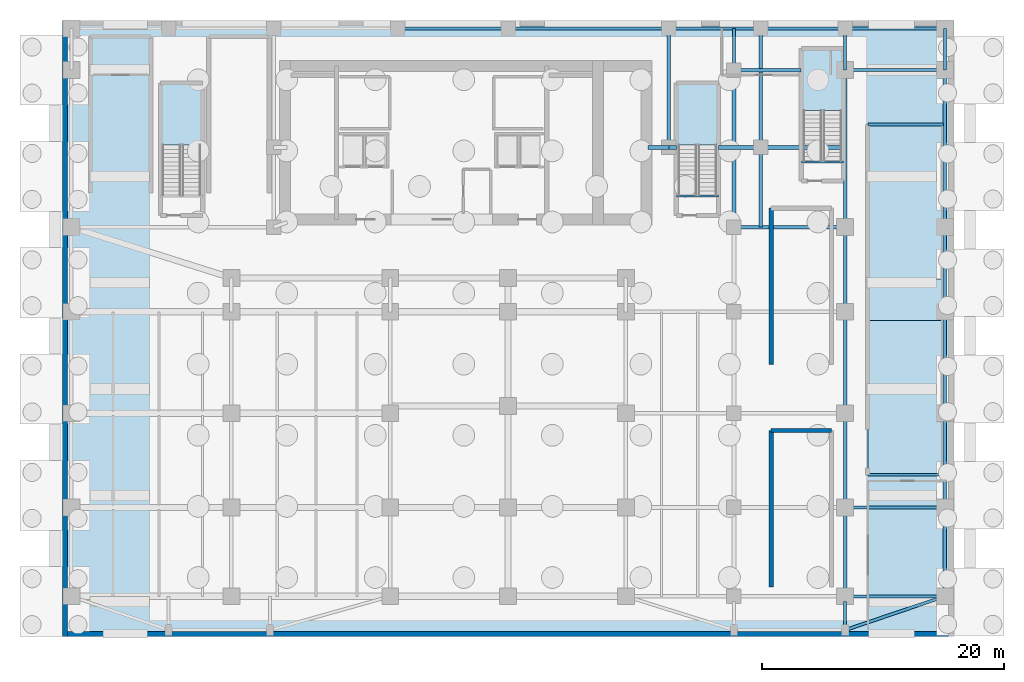
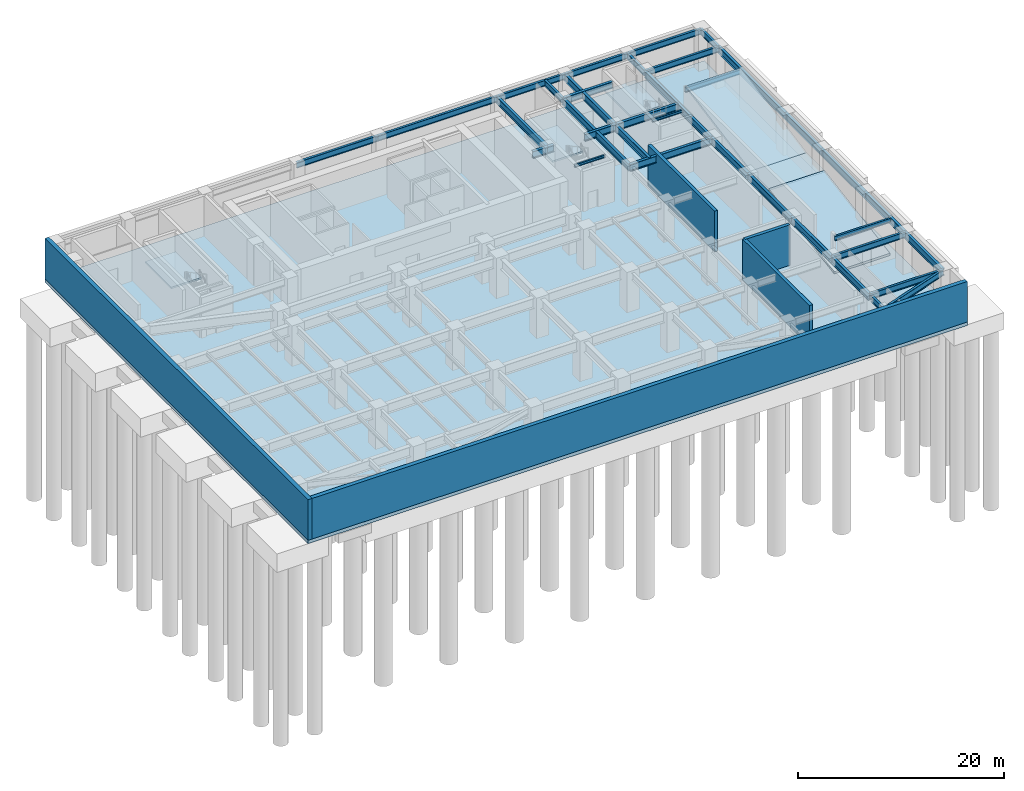
# One storey, part 4 of 9: 37 beams, 7 slabs, 5 walls, 3 elements without a shape of their own.
"""IFC4 building model written with IfcOpenShell, lengths in metres."""

from ifc_helpers import new_model, si_unit, direction, frame, frame_2d, origin, origin_2d, place, context, subcontext, project, spatial, polyline, rectangle, i_section, outline, extrude, faceted_brep, source, transform, mapped, material, layer, layer_set, material_profile, profile_set, type_object, type_shapes, element, aggregate, save


model = new_model("IFC4")

# Units and contexts
model_context = context("Model", 3, precision=1e-05, world=origin(), true_north=direction((0.0, 1.0)))
body_context = subcontext(model_context, "Body", "Model", "MODEL_VIEW")
ifc_project = project(units=[si_unit("LENGTHUNIT", "METRE"), si_unit("AREAUNIT", "SQUARE_METRE"), si_unit("VOLUMEUNIT", "CUBIC_METRE"), si_unit("PLANEANGLEUNIT", "RADIAN"), si_unit("MASSUNIT", "GRAM", prefix="KILO")], contexts=[model_context])

# Site, building, storey
site_placement = place(None, origin())
site = spatial("IfcSite", under=ifc_project, at=site_placement, CompositionType="ELEMENT")
building_placement = place(site_placement, origin())
building = spatial("IfcBuilding", under=site, at=building_placement, Name="Tolvann Quenvar Hotel", CompositionType="ELEMENT")
storey_placement = place(building_placement, frame((0.0, 0.0, -14.39990234375)))
storey = spatial("IfcBuildingStorey", under=building, at=storey_placement, Name="B03", CompositionType="ELEMENT", Elevation=-14.39990234375)

# Beams
ifc_material_1 = material(Name="Steel Grade 350", Category="steel")
ifc_material_profile_1 = material_profile(ifc_material_1, i_section(OverallWidth=0.300048828125, OverallDepth=0.81591796875, WebThickness=0.010009765625, FlangeThickness=0.028076171875, at=origin_2d()), Name="800WB192")
ifc_profile_set_1 = profile_set([ifc_material_profile_1], Name="Steel Grade 350")
beam_type_1 = type_object("IfcBeamType", Name="BM_GIRD_800WB192", PredefinedType="BEAM", material=ifc_profile_set_1)
shared_shape_1 = source(origin(), body_context, "Body", "SweptSolid", [
    extrude(i_section(OverallWidth=0.300048828125, OverallDepth=0.81591796875, WebThickness=0.010009765625, FlangeThickness=0.028076171875, at=origin_2d()), origin(), (0.0, 0.0, 1.0), 7.349853515625),
])
for number, where, z_axis, x_axis, name in (
    (1, (56.39990234375, 0.85009765625, 4.1318359375), (0.0, 1.0, 0.0), (-1.0, 0.0, 0.0), "BM-B03-NS-J-0"),
    (2, (64.64990234375, 0.85009765625, 4.1318359375), (0.0, 1.0, 0.0), (-1.0, 0.0, 0.0), "BM-B03-NS-K-0"),
):
    element("IfcBeam", number, at=place(storey_placement, frame(where, z_axis=z_axis, x_axis=x_axis)), inside=storey, type_object=beam_type_1, Name=name, PredefinedType="BEAM", context=body_context, shape_type="MappedRepresentation", body=[
        mapped(shared_shape_1, transform((0.0, 0.0, 0.0), x_axis=(1.0, 0.0, 0.0), y_axis=(0.0, 1.0, 0.0), z_axis=(0.0, 0.0, 1.0), scale=1.0)),
    ])
shared_shape_2 = source(origin(), body_context, "Body", "SweptSolid", [
    extrude(i_section(OverallWidth=0.300048828125, OverallDepth=0.81591796875, WebThickness=0.010009765625, FlangeThickness=0.028076171875, at=origin_2d()), origin(), (0.0, 0.0, 1.0), 7.800048828125),
])
for number, where, z_axis, x_axis, name in (
    (3, (56.39990234375, 8.199951171875, 4.1318359375), (0.0, 1.0, 0.0), (-1.0, 0.0, 0.0), "BM-B03-NS-J-1"),
    (4, (64.64990234375, 8.199951171875, 4.1318359375), (0.0, 1.0, 0.0), (-1.0, 0.0, 0.0), "BM-B03-NS-K-1"),
):
    element("IfcBeam", number, at=place(storey_placement, frame(where, z_axis=z_axis, x_axis=x_axis)), inside=storey, type_object=beam_type_1, Name=name, PredefinedType="BEAM", context=body_context, shape_type="MappedRepresentation", body=[
        mapped(shared_shape_2, transform((0.0, 0.0, 0.0), x_axis=(1.0, 0.0, 0.0), y_axis=(0.0, 1.0, 0.0), z_axis=(0.0, 0.0, 1.0), scale=1.0)),
    ])
shared_shape_3 = source(origin(), body_context, "Body", "SweptSolid", [
    extrude(i_section(OverallWidth=0.300048828125, OverallDepth=0.81591796875, WebThickness=0.010009765625, FlangeThickness=0.028076171875, at=origin_2d()), origin(), (0.0, 0.0, 1.0), 8.39990234375),
])
for number, where, z_axis, x_axis, name in (
    (5, (56.39990234375, 16.0, 4.1318359375), (0.0, 1.0, 0.0), (-1.0, 0.0, 0.0), "BM-B03-NS-J-2"),
    (6, (64.64990234375, 16.0, 4.1318359375), (0.0, 1.0, 0.0), (-1.0, 0.0, 0.0), "BM-B03-NS-K-2"),
):
    element("IfcBeam", number, at=place(storey_placement, frame(where, z_axis=z_axis, x_axis=x_axis)), inside=storey, type_object=beam_type_1, Name=name, PredefinedType="BEAM", context=body_context, shape_type="MappedRepresentation", body=[
        mapped(shared_shape_3, transform((0.0, 0.0, 0.0), x_axis=(1.0, 0.0, 0.0), y_axis=(0.0, 1.0, 0.0), z_axis=(0.0, 0.0, 1.0), scale=1.0)),
    ])
shared_shape_4 = source(origin(), body_context, "Body", "SweptSolid", [
    extrude(i_section(OverallWidth=0.300048828125, OverallDepth=0.81591796875, WebThickness=0.010009765625, FlangeThickness=0.028076171875, at=origin_2d()), origin(), (0.0, 0.0, 1.0), 9.199951171875),
])
beam_1_placement = place(storey_placement, frame((47.199951171875, 31.39990234375, 4.1318359375), z_axis=(1.0, 0.0, 0.0), x_axis=(0.0, 1.0, 0.0)))
element("IfcBeam", 7, at=beam_1_placement, inside=storey, type_object=beam_type_1, Name="BM-B03-GE2-5", PredefinedType="BEAM", context=body_context, shape_type="MappedRepresentation", body=[
    mapped(shared_shape_4, transform((0.0, 0.0, 0.0), x_axis=(1.0, 0.0, 0.0), y_axis=(0.0, 1.0, 0.0), z_axis=(0.0, 0.0, 1.0), scale=1.0)),
])
ifc_material_profile_2 = material_profile(ifc_material_1, i_section(OverallWidth=0.25, OverallDepth=0.699951171875, WebThickness=0.010009765625, FlangeThickness=0.02392578125, at=origin_2d()), Name="700WB150")
ifc_profile_set_2 = profile_set([ifc_material_profile_2], Name="Steel Grade 350")
beam_type_2 = type_object("IfcBeamType", Name="BM_GIRD_700WB150", PredefinedType="BEAM", material=ifc_profile_set_2)
shared_shape_5 = source(origin(), body_context, "Body", "SweptSolid", [
    extrude(i_section(OverallWidth=0.25, OverallDepth=0.699951171875, WebThickness=0.010009765625, FlangeThickness=0.02392578125, at=origin_2d()), origin(), (0.0, 0.0, 1.0), 8.25),
])
for number, where, z_axis, x_axis, name in (
    (8, (56.39990234375, 0.85009765625, 4.18994140625), (1.0, 0.0, 0.0), (0.0, 1.0, 0.0), "BM-B03-GE3-1"),
    (9, (56.39990234375, 8.199951171875, 4.18994140625), (1.0, 0.0, 0.0), (0.0, 1.0, 0.0), "BM-B03-GE3-2"),
    (10, (56.39990234375, 44.39990234375, 4.18994140625), (1.0, 0.0, 0.0), (0.0, 1.0, 0.0), "BM-B03-GE3-6"),
    (11, (56.39990234375, 47.85009765625, 4.18994140625), (1.0, 0.0, 0.0), (0.0, 1.0, 0.0), "BM-B03-EWN-7"),
):
    element("IfcBeam", number, at=place(storey_placement, frame(where, z_axis=z_axis, x_axis=x_axis)), inside=storey, type_object=beam_type_2, Name=name, PredefinedType="BEAM", context=body_context, shape_type="MappedRepresentation", body=[
        mapped(shared_shape_5, transform((0.0, 0.0, 0.0), x_axis=(1.0, 0.0, 0.0), y_axis=(0.0, 1.0, 0.0), z_axis=(0.0, 0.0, 1.0), scale=1.0)),
    ])
shared_shape_6 = source(origin(), body_context, "Body", "SweptSolid", [
    extrude(i_section(OverallWidth=0.300048828125, OverallDepth=0.81591796875, WebThickness=0.010009765625, FlangeThickness=0.028076171875, at=origin_2d()), origin(), (0.0, 0.0, 1.0), 5.550048828125),
])
beam_2_placement = place(storey_placement, frame((47.199951171875, 44.39990234375, 4.1318359375), z_axis=(1.0, 0.0, 0.0), x_axis=(0.0, 1.0, 0.0)))
element("IfcBeam", 12, at=beam_2_placement, inside=storey, type_object=beam_type_1, Name="BM-B03-GE2-6", PredefinedType="BEAM", context=body_context, shape_type="MappedRepresentation", body=[
    mapped(shared_shape_6, transform((0.0, 0.0, 0.0), x_axis=(1.0, 0.0, 0.0), y_axis=(0.0, 1.0, 0.0), z_axis=(0.0, 0.0, 1.0), scale=1.0)),
])
shared_shape_7 = source(origin(), body_context, "Body", "SweptSolid", [
    extrude(i_section(OverallWidth=0.300048828125, OverallDepth=0.81591796875, WebThickness=0.010009765625, FlangeThickness=0.028076171875, at=origin_2d()), origin(), (0.0, 0.0, 1.0), 7.0),
])
for number, where, z_axis, x_axis, name in (
    (13, (56.39990234375, 24.39990234375, 4.1318359375), (0.0, 1.0, 0.0), (-1.0, 0.0, 0.0), "BM-B03-NS-J-3"),
    (14, (64.64990234375, 24.39990234375, 4.1318359375), (0.0, 1.0, 0.0), (-1.0, 0.0, 0.0), "BM-B03-NS-K-3"),
    (15, (49.39990234375, 38.0, 4.1318359375), (1.0, 0.0, 0.0), (0.0, 1.0, 0.0), "BM-B03-EW-PIN3"),
):
    element("IfcBeam", number, at=place(storey_placement, frame(where, z_axis=z_axis, x_axis=x_axis)), inside=storey, type_object=beam_type_1, Name=name, PredefinedType="BEAM", context=body_context, shape_type="MappedRepresentation", body=[
        mapped(shared_shape_7, transform((0.0, 0.0, 0.0), x_axis=(1.0, 0.0, 0.0), y_axis=(0.0, 1.0, 0.0), z_axis=(0.0, 0.0, 1.0), scale=1.0)),
    ])
shared_shape_8 = source(origin(), body_context, "Body", "SweptSolid", [
    extrude(i_section(OverallWidth=0.300048828125, OverallDepth=0.81591796875, WebThickness=0.010009765625, FlangeThickness=0.028076171875, at=origin_2d()), origin(), (0.0, 0.0, 1.0), 13.0),
])
for number, where, z_axis, x_axis, name in (
    (16, (47.199951171875, 31.39990234375, 4.1318359375), (0.0, 1.0, 0.0), (-1.0, 0.0, 0.0), "BM-B03-NS-H-4"),
    (17, (56.39990234375, 31.39990234375, 4.1318359375), (0.0, 1.0, 0.0), (-1.0, 0.0, 0.0), "BM-B03-NS-J-4"),
    (18, (64.64990234375, 31.39990234375, 4.1318359375), (0.0, 1.0, 0.0), (-1.0, 0.0, 0.0), "BM-B03-NS-K-4"),
):
    element("IfcBeam", number, at=place(storey_placement, frame(where, z_axis=z_axis, x_axis=x_axis)), inside=storey, type_object=beam_type_1, Name=name, PredefinedType="BEAM", context=body_context, shape_type="MappedRepresentation", body=[
        mapped(shared_shape_8, transform((0.0, 0.0, 0.0), x_axis=(1.0, 0.0, 0.0), y_axis=(0.0, 1.0, 0.0), z_axis=(0.0, 0.0, 1.0), scale=1.0)),
    ])
shared_shape_9 = source(origin(), body_context, "Body", "SweptSolid", [
    extrude(i_section(OverallWidth=0.25, OverallDepth=0.699951171875, WebThickness=0.010009765625, FlangeThickness=0.02392578125, at=origin_2d()), origin(), (0.0, 0.0, 1.0), 3.4501953125),
])
for number, where, z_axis, x_axis, name in (
    (19, (47.199951171875, 44.39990234375, 4.18994140625), (0.0, 1.0, 0.0), (-1.0, 0.0, 0.0), "BM-B03-NSN-H"),
    (20, (56.39990234375, 44.39990234375, 4.18994140625), (0.0, 1.0, 0.0), (-1.0, 0.0, 0.0), "BM-B03-NSN-J"),
    (21, (64.64990234375, 44.39990234375, 4.18994140625), (0.0, 1.0, 0.0), (-1.0, 0.0, 0.0), "BM-B03-NSN-K"),
):
    element("IfcBeam", number, at=place(storey_placement, frame(where, z_axis=z_axis, x_axis=x_axis)), inside=storey, type_object=beam_type_2, Name=name, PredefinedType="BEAM", context=body_context, shape_type="MappedRepresentation", body=[
        mapped(shared_shape_9, transform((0.0, 0.0, 0.0), x_axis=(1.0, 0.0, 0.0), y_axis=(0.0, 1.0, 0.0), z_axis=(0.0, 0.0, 1.0), scale=1.0)),
    ])
shared_shape_10 = source(origin(), body_context, "Body", "SweptSolid", [
    extrude(i_section(OverallWidth=0.25, OverallDepth=0.699951171875, WebThickness=0.010009765625, FlangeThickness=0.02392578125, at=origin_2d()), origin(), (0.0, 0.0, 1.0), 2.349853515625),
])
beam_3_placement = place(storey_placement, frame((56.39990234375, -1.949951171875, 4.18994140625), z_axis=(0.0, 1.0, 0.0), x_axis=(-1.0, 0.0, 0.0)))
element("IfcBeam", 22, at=beam_3_placement, inside=storey, type_object=beam_type_2, Name="BM-B03-NSS-J", PredefinedType="BEAM", context=body_context, shape_type="MappedRepresentation", body=[
    mapped(shared_shape_10, transform((0.0, 0.0, 0.0), x_axis=(1.0, 0.0, 0.0), y_axis=(0.0, 1.0, 0.0), z_axis=(0.0, 0.0, 1.0), scale=1.0)),
])
shared_shape_11 = source(origin(), body_context, "Body", "SweptSolid", [
    extrude(i_section(OverallWidth=0.25, OverallDepth=0.699951171875, WebThickness=0.010009765625, FlangeThickness=0.02392578125, at=origin_2d()), origin(), (0.0, 0.0, 1.0), 8.712158203125),
])
beam_4_placement = place(storey_placement, frame((56.39990234375, -1.949951171875, 4.18994140625), z_axis=(0.946945808453, 0.32139327288, 0.0), x_axis=(-0.32139327288, 0.946945808453, 0.0)))
element("IfcBeam", 23, at=beam_4_placement, inside=storey, type_object=beam_type_2, Name="BM-B03-EWS-E2", PredefinedType="BEAM", context=body_context, shape_type="MappedRepresentation", body=[
    mapped(shared_shape_11, transform((0.0, 0.0, 0.0), x_axis=(1.0, 0.0, 0.0), y_axis=(0.0, 1.0, 0.0), z_axis=(0.0, 0.0, 1.0), scale=1.0)),
])
shared_shape_12 = source(origin(), body_context, "Body", "SweptSolid", [
    extrude(i_section(OverallWidth=0.25, OverallDepth=0.699951171875, WebThickness=0.010009765625, FlangeThickness=0.02392578125, at=origin_2d()), origin(), (0.0, 0.0, 1.0), 9.14990234375),
])
beam_5_placement = place(storey_placement, frame((19.35009765625, 47.85009765625, 4.18994140625), z_axis=(1.0, 0.0, 0.0), x_axis=(0.0, 1.0, 0.0)))
element("IfcBeam", 24, at=beam_5_placement, inside=storey, type_object=beam_type_2, Name="BM-B03-EWN-3", PredefinedType="BEAM", context=body_context, shape_type="MappedRepresentation", body=[
    mapped(shared_shape_12, transform((0.0, 0.0, 0.0), x_axis=(1.0, 0.0, 0.0), y_axis=(0.0, 1.0, 0.0), z_axis=(0.0, 0.0, 1.0), scale=1.0)),
])
shared_shape_13 = source(origin(), body_context, "Body", "SweptSolid", [
    extrude(i_section(OverallWidth=0.25, OverallDepth=0.699951171875, WebThickness=0.010009765625, FlangeThickness=0.02392578125, at=origin_2d()), origin(), (0.0, 0.0, 1.0), 13.300048828125),
])
beam_6_placement = place(storey_placement, frame((28.5, 47.85009765625, 4.18994140625), z_axis=(1.0, 0.0, 0.0), x_axis=(0.0, 1.0, 0.0)))
element("IfcBeam", 25, at=beam_6_placement, inside=storey, type_object=beam_type_2, Name="BM-B03-EWN-4", PredefinedType="BEAM", context=body_context, shape_type="MappedRepresentation", body=[
    mapped(shared_shape_13, transform((0.0, 0.0, 0.0), x_axis=(1.0, 0.0, 0.0), y_axis=(0.0, 1.0, 0.0), z_axis=(0.0, 0.0, 1.0), scale=1.0)),
])
shared_shape_14 = source(origin(), body_context, "Body", "SweptSolid", [
    extrude(i_section(OverallWidth=0.25, OverallDepth=0.699951171875, WebThickness=0.010009765625, FlangeThickness=0.02392578125, at=origin_2d()), origin(), (0.0, 0.0, 1.0), 7.599853515625),
])
beam_7_placement = place(storey_placement, frame((41.800048828125, 47.85009765625, 4.18994140625), z_axis=(1.0, 0.0, 0.0), x_axis=(0.0, 1.0, 0.0)))
element("IfcBeam", 26, at=beam_7_placement, inside=storey, type_object=beam_type_2, Name="BM-B03-EWN-5", PredefinedType="BEAM", context=body_context, shape_type="MappedRepresentation", body=[
    mapped(shared_shape_14, transform((0.0, 0.0, 0.0), x_axis=(1.0, 0.0, 0.0), y_axis=(0.0, 1.0, 0.0), z_axis=(0.0, 0.0, 1.0), scale=1.0)),
])
shared_shape_15 = source(origin(), body_context, "Body", "SweptSolid", [
    extrude(i_section(OverallWidth=0.25, OverallDepth=0.699951171875, WebThickness=0.010009765625, FlangeThickness=0.02392578125, at=origin_2d()), origin(), (0.0, 0.0, 1.0), 7.0),
])
type_shapes(beam_type_2, [shared_shape_5, shared_shape_9, shared_shape_10, shared_shape_11, shared_shape_12, shared_shape_13, shared_shape_14, shared_shape_15])
beam_8_placement = place(storey_placement, frame((49.39990234375, 47.85009765625, 4.18994140625), z_axis=(1.0, 0.0, 0.0), x_axis=(0.0, 1.0, 0.0)))
element("IfcBeam", 27, at=beam_8_placement, inside=storey, type_object=beam_type_2, Name="BM-B03-EWN-6", PredefinedType="BEAM", context=body_context, shape_type="MappedRepresentation", body=[
    mapped(shared_shape_15, transform((0.0, 0.0, 0.0), x_axis=(1.0, 0.0, 0.0), y_axis=(0.0, 1.0, 0.0), z_axis=(0.0, 0.0, 1.0), scale=1.0)),
])
shared_shape_16 = source(origin(), body_context, "Body", "SweptSolid", [
    extrude(i_section(OverallWidth=0.300048828125, OverallDepth=0.81591796875, WebThickness=0.010009765625, FlangeThickness=0.028076171875, at=origin_2d()), origin(), (0.0, 0.0, 1.0), 6.60009765625),
])
beam_9_placement = place(storey_placement, frame((49.39990234375, 31.39990234375, 4.1318359375), z_axis=(0.0, 1.0, 0.0), x_axis=(-1.0, 0.0, 0.0)))
element("IfcBeam", 28, at=beam_9_placement, inside=storey, type_object=beam_type_1, Name="BM-B03-NSB-PIN1", PredefinedType="BEAM", context=body_context, shape_type="MappedRepresentation", body=[
    mapped(shared_shape_16, transform((0.0, 0.0, 0.0), x_axis=(1.0, 0.0, 0.0), y_axis=(0.0, 1.0, 0.0), z_axis=(0.0, 0.0, 1.0), scale=1.0)),
])
shared_shape_17 = source(origin(), body_context, "Body", "SweptSolid", [
    extrude(i_section(OverallWidth=0.300048828125, OverallDepth=0.81591796875, WebThickness=0.010009765625, FlangeThickness=0.028076171875, at=origin_2d()), origin(), (0.0, 0.0, 1.0), 9.85009765625),
])
for number, where, z_axis, x_axis, name in (
    (29, (41.800048828125, 38.0, 4.1318359375), (0.0, 1.0, 0.0), (-1.0, 0.0, 0.0), "BM-B03-NSB-PHN2"),
    (30, (49.39990234375, 38.0, 4.1318359375), (0.0, 1.0, 0.0), (-1.0, 0.0, 0.0), "BM-B03-NSB-PIN2"),
):
    element("IfcBeam", number, at=place(storey_placement, frame(where, z_axis=z_axis, x_axis=x_axis)), inside=storey, type_object=beam_type_1, Name=name, PredefinedType="BEAM", context=body_context, shape_type="MappedRepresentation", body=[
        mapped(shared_shape_17, transform((0.0, 0.0, 0.0), x_axis=(1.0, 0.0, 0.0), y_axis=(0.0, 1.0, 0.0), z_axis=(0.0, 0.0, 1.0), scale=1.0)),
    ])
shared_shape_18 = source(origin(), body_context, "Body", "SweptSolid", [
    extrude(i_section(OverallWidth=0.300048828125, OverallDepth=0.81591796875, WebThickness=0.010009765625, FlangeThickness=0.028076171875, at=origin_2d()), origin(), (0.0, 0.0, 1.0), 1.699951171875),
])
beam_10_placement = place(storey_placement, frame((40.10009765625, 38.0, 4.1318359375), z_axis=(1.0, 0.0, 0.0), x_axis=(0.0, 1.0, 0.0)))
element("IfcBeam", 31, at=beam_10_placement, inside=storey, type_object=beam_type_1, Name="BM-B03-EW-PHN1", PredefinedType="BEAM", context=body_context, shape_type="MappedRepresentation", body=[
    mapped(shared_shape_18, transform((0.0, 0.0, 0.0), x_axis=(1.0, 0.0, 0.0), y_axis=(0.0, 1.0, 0.0), z_axis=(0.0, 0.0, 1.0), scale=1.0)),
])
shared_shape_19 = source(origin(), body_context, "Body", "SweptSolid", [
    extrude(i_section(OverallWidth=0.300048828125, OverallDepth=0.81591796875, WebThickness=0.010009765625, FlangeThickness=0.028076171875, at=origin_2d()), origin(), (0.0, 0.0, 1.0), 0.625),
])
beam_11_placement = place(storey_placement, frame((41.800048828125, 38.0, 4.1318359375), z_axis=(1.0, 0.0, 0.0), x_axis=(0.0, 1.0, 0.0)))
element("IfcBeam", 32, at=beam_11_placement, inside=storey, type_object=beam_type_1, Name="BM-B03-EW-PHN2A", PredefinedType="BEAM", context=body_context, shape_type="MappedRepresentation", body=[
    mapped(shared_shape_19, transform((0.0, 0.0, 0.0), x_axis=(1.0, 0.0, 0.0), y_axis=(0.0, 1.0, 0.0), z_axis=(0.0, 0.0, 1.0), scale=1.0)),
])
shared_shape_20 = source(origin(), body_context, "Body", "SweptSolid", [
    extrude(i_section(OverallWidth=0.300048828125, OverallDepth=0.81591796875, WebThickness=0.010009765625, FlangeThickness=0.028076171875, at=origin_2d()), origin(), (0.0, 0.0, 1.0), 3.474853515625),
])
type_shapes(beam_type_1, [shared_shape_1, shared_shape_2, shared_shape_3, shared_shape_4, shared_shape_6, shared_shape_7, shared_shape_8, shared_shape_16, shared_shape_17, shared_shape_18, shared_shape_19, shared_shape_20])
beam_12_placement = place(storey_placement, frame((45.925048828125, 38.0, 4.1318359375), z_axis=(1.0, 0.0, 0.0), x_axis=(0.0, 1.0, 0.0)))
element("IfcBeam", 33, at=beam_12_placement, inside=storey, type_object=beam_type_1, Name="BM-B03-EW-PHN2B", PredefinedType="BEAM", context=body_context, shape_type="MappedRepresentation", body=[
    mapped(shared_shape_20, transform((0.0, 0.0, 0.0), x_axis=(1.0, 0.0, 0.0), y_axis=(0.0, 1.0, 0.0), z_axis=(0.0, 0.0, 1.0), scale=1.0)),
])
ifc_material_profile_3 = material_profile(ifc_material_1, i_section(OverallWidth=0.208984375, OverallDepth=0.532958984375, WebThickness=0.01025390625, FlangeThickness=0.015625, FilletRadius=0.013916015625, at=origin_2d()), Name="530UB92")
ifc_profile_set_3 = profile_set([ifc_material_profile_3], Name="Steel Grade 350")
beam_type_3 = type_object("IfcBeamType", Name="BM_GIRD_530UB92", PredefinedType="BEAM", material=ifc_profile_set_3)
shared_shape_21 = source(origin(), body_context, "Body", "SweptSolid", [
    extrude(i_section(OverallWidth=0.208984375, OverallDepth=0.532958984375, WebThickness=0.01025390625, FlangeThickness=0.015625, FilletRadius=0.013916015625, at=origin_2d()), origin(), (0.0, 0.0, 1.0), 6.25),
])
type_shapes(beam_type_3, [shared_shape_21])
for number, where, z_axis, x_axis, name in (
    (34, (58.27490234375, 10.89990234375, 4.2734375), (1.0, 0.0, 0.0), (0.0, 1.0, 0.0), "BM-HDR-RAMP-B03-S"),
    (35, (58.27490234375, 39.89990234375, 4.2734375), (1.0, 0.0, 0.0), (0.0, 1.0, 0.0), "BM-HDR-RAMP-B03-N"),
):
    element("IfcBeam", number, at=place(storey_placement, frame(where, z_axis=z_axis, x_axis=x_axis)), inside=storey, type_object=beam_type_3, Name=name, PredefinedType="BEAM", context=body_context, shape_type="MappedRepresentation", body=[
        mapped(shared_shape_21, transform((0.0, 0.0, 0.0), x_axis=(1.0, 0.0, 0.0), y_axis=(0.0, 1.0, 0.0), z_axis=(0.0, 0.0, 1.0), scale=1.0)),
    ])
ifc_material_profile_4 = material_profile(ifc_material_1, i_section(OverallWidth=0.166015625, OverallDepth=0.306884765625, WebThickness=0.006591796875, FlangeThickness=0.01171875, FilletRadius=0.011474609375, at=origin_2d()), Name="310UB46")
ifc_profile_set_4 = profile_set([ifc_material_profile_4], Name="Steel Grade 350")
beam_type_4 = type_object("IfcBeamType", Name="BM_JOIST_310UB46", PredefinedType="JOIST", material=ifc_profile_set_4)
shared_shape_22 = source(origin(), body_context, "Body", "SweptSolid", [
    extrude(i_section(OverallWidth=0.166015625, OverallDepth=0.306884765625, WebThickness=0.006591796875, FlangeThickness=0.01171875, FilletRadius=0.011474609375, at=origin_2d()), origin(), (0.0, 0.0, 1.0), 3.449951171875),
])
type_shapes(beam_type_4, [shared_shape_22])
for number, where, z_axis, x_axis, name in (
    (36, (42.449951171875, 33.965087890625, 4.386474609375), (1.0, 0.0, 0.0), (0.0, 1.0, 0.0), "BM-HDR-ST-B2-B02"),
    (37, (52.800048828125, 36.81494140625, 4.386474609375), (1.0, 0.0, 0.0), (0.0, 1.0, 0.0), "BM-HDR-ST-B3-B02"),
):
    element("IfcBeam", number, at=place(storey_placement, frame(where, z_axis=z_axis, x_axis=x_axis)), inside=storey, type_object=beam_type_4, Name=name, PredefinedType="JOIST", context=body_context, shape_type="MappedRepresentation", body=[
        mapped(shared_shape_22, transform((0.0, 0.0, 0.0), x_axis=(1.0, 0.0, 0.0), y_axis=(0.0, 1.0, 0.0), z_axis=(0.0, 0.0, 1.0), scale=1.0)),
    ])

# Slab
ifc_material_2 = material(Name="Concrete N50 (50 MPa)", Category="concrete")
ifc_layer_1 = layer(ifc_material_2, 0.39990234375)
ifc_layer_set_1 = layer_set([ifc_layer_1], Name="Concrete N50 (50 MPa)")
slab_type_1 = type_object("IfcSlabType", Name="SLAB_BASE_400", PredefinedType="BASESLAB", material=ifc_layer_set_1)
slab_1_placement = place(storey_placement, frame((0.0, 0.0, -0.400146484375)))
element("IfcSlab", 38, at=slab_1_placement, inside=storey, type_object=slab_type_1, Name="Level B03 Structural Floor Slab", PredefinedType="BASESLAB", context=body_context, shape_type="SweptSolid", body=[
    extrude(outline(polyline([(-8.39990234375, -2.5), (-8.39990234375, 48.5), (65.39990234375, 48.5), (65.39990234375, -2.5), (-8.39990234375, -2.5)])), origin(), (0.0, 0.0, 1.0), 0.400146484375),
])

# Stair, slab
ifc_material_3 = material(Name="Concrete N40 (40 MPa)", Category="concrete")
stair_type = type_object("IfcStairType", Name="STAIR", PredefinedType="HALF_TURN_STAIR", material=ifc_material_3)
stair_1_placement = place(storey_placement, origin())
stair_1 = element("IfcStair", 39, at=stair_1_placement, inside=storey, type_object=stair_type, Name="B03 ST-B1", PredefinedType="HALF_TURN_STAIR")
ifc_layer_2 = layer(ifc_material_3, 0.199951171875)
ifc_layer_set_2 = layer_set([ifc_layer_2], Name="Concrete N40 (40 MPa)")
slab_type_2 = type_object("IfcSlabType", Name="SLAB_LANDING", PredefinedType="LANDING", material=ifc_layer_set_2)
slab_2_placement = place(storey_placement, frame((0.0, 0.0, 2.199951171875)))
slab_2 = element("IfcSlab", 40, at=slab_2_placement, type_object=slab_type_2, Name="ST-B1 landing 1", PredefinedType="LANDING", context=body_context, shape_type="SweptSolid", body=[
    extrude(outline(polyline([(3.179931640625, 38.18994140625), (3.179931640625, 43.22998046875), (-0.22998046875, 43.22998046875), (-0.22998046875, 38.18994140625), (3.179931640625, 38.18994140625)])), origin(), (0.0, 0.0, 1.0), 0.199951171875),
])
aggregate(stair_1, [slab_2])

stair_2_placement = place(storey_placement, origin())
stair_2 = element("IfcStair", 41, at=stair_2_placement, inside=storey, type_object=stair_type, Name="B03 ST-B2", PredefinedType="HALF_TURN_STAIR")
slab_3_placement = place(storey_placement, frame((0.0, 0.0, 2.199951171875)))
slab_3 = element("IfcSlab", 42, at=slab_3_placement, type_object=slab_type_2, Name="ST-B2 landing 1", PredefinedType="LANDING", context=body_context, shape_type="SweptSolid", body=[
    extrude(outline(polyline([(45.8798828125, 38.18994140625), (45.8798828125, 43.22998046875), (42.469970703125, 43.22998046875), (42.469970703125, 38.18994140625), (45.8798828125, 38.18994140625)])), origin(), (0.0, 0.0, 1.0), 0.199951171875),
])
aggregate(stair_2, [slab_3])

stair_3_placement = place(storey_placement, origin())
stair_3 = element("IfcStair", 43, at=stair_3_placement, inside=storey, type_object=stair_type, Name="B03 ST-B3", PredefinedType="HALF_TURN_STAIR")
slab_4_placement = place(storey_placement, frame((0.0, 0.0, 2.199951171875)))
slab_4 = element("IfcSlab", 44, at=slab_4_placement, type_object=slab_type_2, Name="ST-B3 landing 1", PredefinedType="LANDING", context=body_context, shape_type="SweptSolid", body=[
    extrude(outline(polyline([(56.22998046875, 41.0400390625), (56.22998046875, 46.080078125), (52.820068359375, 46.080078125), (52.820068359375, 41.0400390625), (56.22998046875, 41.0400390625)])), origin(), (0.0, 0.0, 1.0), 0.199951171875),
])
aggregate(stair_3, [slab_4])

# Slabs
ifc_layer_3 = layer(ifc_material_3, 0.25)
ifc_layer_set_3 = layer_set([ifc_layer_3], Name="Concrete N40 (40 MPa)")
slab_type_3 = type_object("IfcSlabType", Name="SLAB_RAMP_LAND_250", PredefinedType="LANDING", material=ifc_layer_set_3)
slab_5_placement = place(storey_placement, frame((0.0, 0.0, 2.14990234375)))
element("IfcSlab", 45, at=slab_5_placement, inside=storey, type_object=slab_type_3, Name="Vehicle Ramp Mid Landing Slab B03", PredefinedType="LANDING", context=body_context, shape_type="SweptSolid", body=[
    extrude(outline(polyline([(58.27490234375, 23.672119140625), (64.52490234375, 23.672119140625), (64.52490234375, 27.1279296875), (58.27490234375, 27.1279296875), (58.27490234375, 23.672119140625)])), origin(), (0.0, 0.0, 1.0), 0.25),
])
ifc_layer_4 = layer(ifc_material_3, 0.25)
ifc_layer_set_4 = layer_set([ifc_layer_4], Name="Concrete N40 (40 MPa)")
slab_type_4 = type_object("IfcSlabType", Name="SLAB_VEH_RAMP_250", PredefinedType="BASESLAB", material=ifc_layer_set_4)
slab_6_placement = place(storey_placement, origin())
element("IfcSlab", 46, at=slab_6_placement, inside=storey, type_object=slab_type_4, Name="Vehicle Ramp Structural Slab B03-1", PredefinedType="BASESLAB", context=body_context, shape_type="Brep", body=[
    faceted_brep([(58.27490234375, 11.0, 0.25), (64.52490234375, 11.0, 0.25), (64.52490234375, 23.672119140625, 2.39990234375), (58.27490234375, 23.672119140625, 2.39990234375), (58.27490234375, 23.672119140625, 2.146240234375), (64.52490234375, 23.672119140625, 2.146240234375), (64.52490234375, 11.0, -0.003662109375), (58.27490234375, 11.0, -0.003662109375)], [[[0, 1, 2, 3]], [[4, 5, 6, 7]], [[7, 6, 1, 0]], [[6, 5, 2, 1]], [[5, 4, 3, 2]], [[4, 7, 0, 3]]]),
])
slab_7_placement = place(storey_placement, origin())
element("IfcSlab", 47, at=slab_7_placement, inside=storey, type_object=slab_type_4, Name="Vehicle Ramp Structural Slab B03-2", PredefinedType="BASESLAB", context=body_context, shape_type="Brep", body=[
    faceted_brep([(58.27490234375, 27.1279296875, 2.39990234375), (64.52490234375, 27.1279296875, 2.39990234375), (64.52490234375, 39.800048828125, 4.7998046875), (58.27490234375, 39.800048828125, 4.7998046875), (58.27490234375, 39.800048828125, 4.54541015625), (64.52490234375, 39.800048828125, 4.54541015625), (64.52490234375, 27.1279296875, 2.1455078125), (58.27490234375, 27.1279296875, 2.1455078125)], [[[0, 1, 2, 3]], [[4, 5, 6, 7]], [[7, 6, 1, 0]], [[6, 5, 2, 1]], [[5, 4, 3, 2]], [[4, 7, 0, 3]]]),
])

# Walls
ifc_material_4 = material(Name="Concrete S65 (65 MPa)", Category="concrete")
ifc_layer_5 = layer(ifc_material_4, 0.35009765625)
ifc_layer_set_5 = layer_set([ifc_layer_5], Name="Concrete S65 (65 MPa)")
wall_type_1 = type_object("IfcWallType", Name="WALL_CORE_INT_350", PredefinedType="SHEAR", material=ifc_layer_set_5)
wall_1_placement = place(storey_placement, frame((55.27490234375, 14.574951171875, 0.0), z_axis=(0.0, 0.0, 1.0), x_axis=(-1.0, 0.0, 0.0)))
element("IfcWall", 48, at=wall_1_placement, inside=storey, type_object=wall_type_1, Name="Stairwell ST-P3 Structural Shaft Wall N (B03)", PredefinedType="SHEAR", context=body_context, shape_type="SweptSolid", body=[
    extrude(rectangle(XDim=5.0, YDim=0.35009765625, at=frame_2d((2.5, 0.0))), origin(), (0.0, 0.0, 1.0), 4.7998046875),
])
wall_2_placement = place(storey_placement, frame((50.27490234375, 14.574951171875, 0.0), z_axis=(0.0, 0.0, 1.0), x_axis=(0.0, -1.0, 0.0)))
element("IfcWall", 49, at=wall_2_placement, inside=storey, type_object=wall_type_1, Name="Stairwell ST-P3 Structural Shaft Wall W (B03)", PredefinedType="SHEAR", context=body_context, shape_type="SweptSolid", body=[
    extrude(rectangle(XDim=12.949951171875, YDim=0.35009765625, at=frame_2d((6.47509765625, 0.0))), origin(), (0.0, 0.0, 1.0), 4.7998046875),
])
wall_3_placement = place(storey_placement, frame((50.27490234375, 32.97509765625, 0.0), z_axis=(0.0, 0.0, 1.0), x_axis=(0.0, -1.0, 0.0)))
element("IfcWall", 50, at=wall_3_placement, inside=storey, type_object=wall_type_1, Name="Stairwell ST-P4 Structural Shaft Wall W (B03)", PredefinedType="SHEAR", context=body_context, shape_type="SweptSolid", body=[
    extrude(rectangle(XDim=12.9501953125, YDim=0.35009765625, at=frame_2d((6.47509765625, 0.0))), origin(), (0.0, 0.0, 1.0), 4.7998046875),
])
ifc_layer_6 = layer(ifc_material_2, 0.449951171875)
ifc_layer_set_6 = layer_set([ifc_layer_6], Name="Concrete N50 (50 MPa)")
wall_type_2 = type_object("IfcWallType", Name="WALL_RET_450", PredefinedType="SOLIDWALL", material=ifc_layer_set_6)
wall_4_placement = place(storey_placement, frame((-8.39990234375, -2.27490234375, 0.0), z_axis=(0.0, 0.0, 1.0), x_axis=(1.0, 0.0, 0.0)))
element("IfcWall", 51, at=wall_4_placement, inside=storey, type_object=wall_type_2, Name="Basement Perimeter Retaining Wall S (B03)", PredefinedType="SOLIDWALL", context=body_context, shape_type="SweptSolid", body=[
    extrude(rectangle(XDim=73.7998046875, YDim=0.449951171875, at=frame_2d((36.89990234375, 0.0))), origin(), (0.0, 0.0, 1.0), 4.7998046875),
])
wall_5_placement = place(storey_placement, frame((-8.175048828125, -2.5, 0.0), z_axis=(0.0, 0.0, 1.0), x_axis=(0.0, 1.0, 0.0)))
element("IfcWall", 52, at=wall_5_placement, inside=storey, type_object=wall_type_2, Name="Basement Perimeter Retaining Wall W (B03)", PredefinedType="SOLIDWALL", context=body_context, shape_type="SweptSolid", body=[
    extrude(rectangle(XDim=51.0, YDim=0.449951171875, at=frame_2d((25.5, 0.0))), origin(), (0.0, 0.0, 1.0), 4.7998046875),
])

save(model, "model.ifc")
